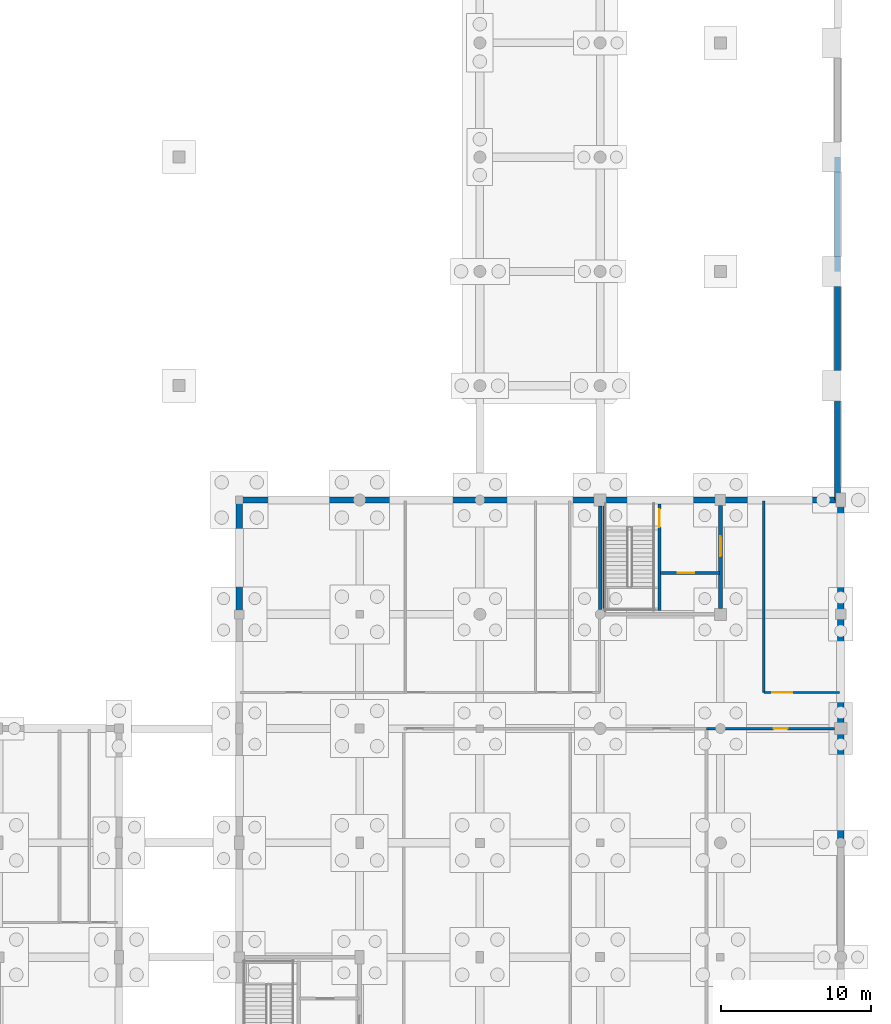
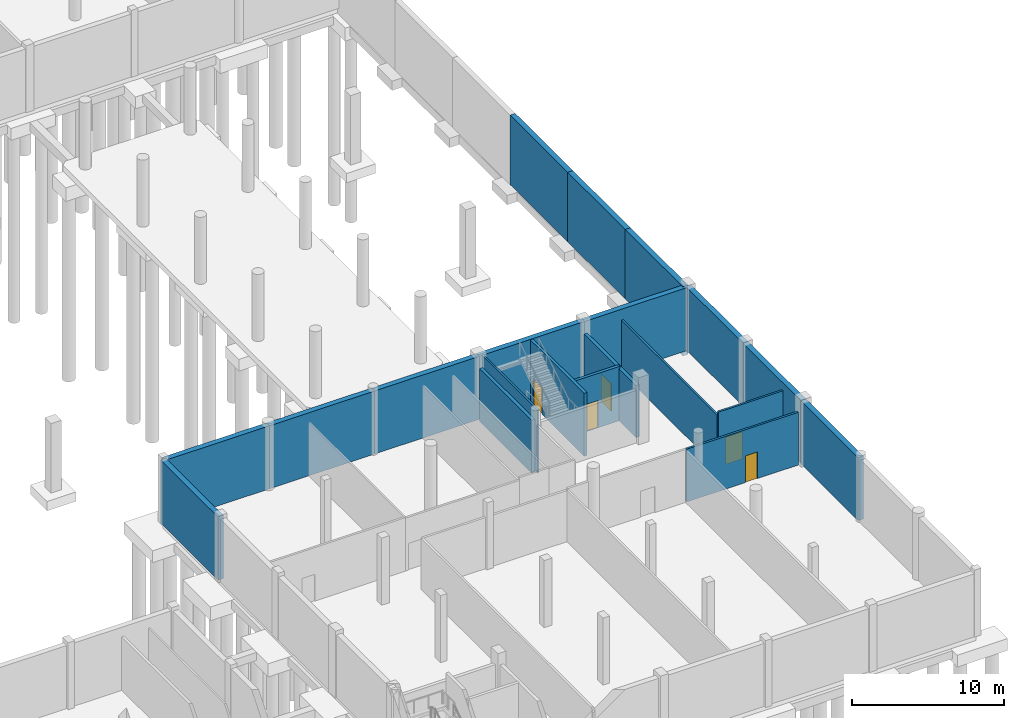
# One storey, part 30 of 44: 20 walls, 5 doors, 5 openings.
"""IFC4 building model written with IfcOpenShell, lengths in metres."""

from ifc_helpers import new_model, si_unit, direction, frame, frame_2d, origin, place, context, subcontext, project, spatial, rectangle, extrude, material, layer, layer_set, type_object, element, fill, save


model = new_model("IFC4")

# Units and contexts
model_context = context("Model", 3, precision=1e-05, world=origin(), true_north=direction((0.0, 1.0)))
body_context = subcontext(model_context, "Body", "Model", "MODEL_VIEW")
ifc_project = project(units=[si_unit("LENGTHUNIT", "METRE"), si_unit("AREAUNIT", "SQUARE_METRE"), si_unit("VOLUMEUNIT", "CUBIC_METRE"), si_unit("PLANEANGLEUNIT", "RADIAN"), si_unit("MASSUNIT", "GRAM", prefix="KILO")], contexts=[model_context])

# Site, building, storey
site_placement = place(None, origin())
site = spatial("IfcSite", under=ifc_project, at=site_placement, CompositionType="ELEMENT")
building_placement = place(site_placement, origin())
building = spatial("IfcBuilding", under=site, at=building_placement, Name="Khelvaren Railside Concert Hall", CompositionType="ELEMENT")
storey_placement = place(building_placement, frame((0.0, 0.0, -5.39990234375)))
storey = spatial("IfcBuildingStorey", under=building, at=storey_placement, Name="B1", CompositionType="ELEMENT", Elevation=-5.39990234375)

# Walls
ifc_material_1 = material(Name="Concrete C40/50", Category="concrete")
ifc_layer_1 = layer(ifc_material_1, 0.139892578125)
ifc_layer_set_1 = layer_set([ifc_layer_1], Name="Concrete C40/50")
wall_type_1 = type_object("IfcWallType", Name="CW17", PredefinedType="SOLIDWALL", material=ifc_layer_set_1)
wall_1_placement = place(storey_placement, frame((168.27490234375, 30.550048828125, 0.0), z_axis=(0.0, 0.0, 1.0), x_axis=(0.0, 1.0, 0.0)))
element("IfcWall", 1, at=wall_1_placement, inside=storey, type_object=wall_type_1, Name="Core Shaft Structural Liner Wall ST-04-B1", PredefinedType="SOLIDWALL", context=body_context, shape_type="SweptSolid", body=[
    extrude(rectangle(XDim=7.300048828125, YDim=0.139892578125, at=frame_2d((3.64990234375, 0.0))), origin(), (0.0, 0.0, 1.0), 5.079833984375),
])
ifc_layer_2 = layer(ifc_material_1, 0.25)
ifc_layer_set_2 = layer_set([ifc_layer_2], Name="Concrete C40/50")
wall_type_2 = type_object("IfcWallType", Name="CW82", PredefinedType="SOLIDWALL", material=ifc_layer_set_2)
wall_2_placement = place(storey_placement, frame((168.0, 30.72509765625, 0.0), z_axis=(0.0, 0.0, 1.0), x_axis=(0.0, 1.0, 0.0)))
element("IfcWall", 2, at=wall_2_placement, inside=storey, type_object=wall_type_2, Name="Core Enclosure Wall CWALL-ST-04-B1-W", PredefinedType="SOLIDWALL", context=body_context, shape_type="SweptSolid", body=[
    extrude(rectangle(XDim=6.875, YDim=0.25, at=frame_2d((3.4375, 0.0))), origin(), (0.0, 0.0, 1.0), 4.2548828125),
])

# Wall, opening, door
wall_3_placement = place(storey_placement, frame((176.0, 30.800048828125, 0.0), z_axis=(0.0, 0.0, 1.0), x_axis=(0.0, 1.0, 0.0)))
wall_3 = element("IfcWall", 3, at=wall_3_placement, inside=storey, type_object=wall_type_2, Name="Core Enclosure Wall CWALL-ST-04-B1-E", PredefinedType="SOLIDWALL", context=body_context, shape_type="SweptSolid", body=[
    extrude(rectangle(XDim=6.849853515625, YDim=0.25, at=frame_2d((3.4248046875, 0.0))), origin(), (0.0, 0.0, 1.0), 4.204833984375),
])
opening_1_placement = place(wall_3_placement, frame((3.449951171875, 0.0, 0.0)))
opening_1 = element("IfcOpeningElement", 4, at=opening_1_placement, cuts=wall_3, Name="Opening FDR34", PredefinedType="OPENING", context=body_context, shape_type="SweptSolid", body=[
    extrude(rectangle(XDim=1.35009765625, YDim=2.199951171875, at=frame_2d((0.675048828125, 1.10009765625))), frame((0.0, 0.135009765625, 0.0), z_axis=(0.0, -1.0, 0.0), x_axis=(1.0, 0.0, 0.0)), (0.0, 0.0, 1.0), 0.27001953125),
])
ifc_material_2 = material(Name="Acoustic fire-rated timber-core steel frame door", Category="steel")
door_type_1 = type_object("IfcDoorType", Name="FDR34", OperationType="NOTDEFINED", PredefinedType="DOOR", material=ifc_material_2)
door_1_placement = place(opening_1_placement, origin())
door_1 = element("IfcDoor", 5, at=door_1_placement, inside=storey, type_object=door_type_1, Name="Interior Door DR-ST-04-B1-LOB", OperationType="SINGLE_SWING_LEFT", OverallHeight=2.199951171875, OverallWidth=1.35009765625, PredefinedType="DOOR", context=body_context, shape_type="SweptSolid", body=[
    extrude(rectangle(XDim=1.35009765625, YDim=2.199951171875, at=frame_2d((0.675048828125, 1.10009765625))), frame((0.0, 0.02490234375, 0.0), z_axis=(0.0, -1.0, 0.0), x_axis=(1.0, 0.0, 0.0)), (0.0, 0.0, 1.0), 0.050048828125),
])
fill(opening_1, door_1)

ifc_layer_3 = layer(ifc_material_1, 0.219970703125)
ifc_layer_set_3 = layer_set([ifc_layer_3], Name="Concrete C40/50")
wall_type_3 = type_object("IfcWallType", Name="CW97", PredefinedType="SOLIDWALL", material=ifc_layer_set_3)
wall_4_placement = place(storey_placement, frame((171.949951171875, 30.64990234375, 0.0), z_axis=(0.0, 0.0, 1.0), x_axis=(0.0, 1.0, 0.0)))
wall_4 = element("IfcWall", 6, at=wall_4_placement, inside=storey, type_object=wall_type_3, Name="Core Enclosure Wall CWALL-ST-04-B1-MID", PredefinedType="SOLIDWALL", context=body_context, shape_type="SweptSolid", body=[
    extrude(rectangle(XDim=7.10009765625, YDim=0.219970703125, at=frame_2d((3.550048828125, 0.0))), origin(), (0.0, 0.0, 1.0), 5.079833984375),
])
opening_2_placement = place(wall_4_placement, frame((5.550048828125, 0.0, 0.0)))
opening_2 = element("IfcOpeningElement", 7, at=opening_2_placement, cuts=wall_4, Name="Opening FDR17", PredefinedType="OPENING", context=body_context, shape_type="SweptSolid", body=[
    extrude(rectangle(XDim=1.199951171875, YDim=2.14990234375, at=frame_2d((0.60009765625, 1.074951171875))), frame((0.0, 0.119873046875, 0.0), z_axis=(0.0, -1.0, 0.0), x_axis=(1.0, 0.0, 0.0)), (0.0, 0.0, 1.0), 0.239990234375),
])
door_type_2 = type_object("IfcDoorType", Name="FDR17", OperationType="NOTDEFINED", PredefinedType="DOOR", material=ifc_material_2)
door_2_placement = place(opening_2_placement, origin())
door_2 = element("IfcDoor", 8, at=door_2_placement, inside=storey, type_object=door_type_2, Name="Interior Door DR-ST-04-B1-ST", OperationType="SINGLE_SWING_RIGHT", OverallHeight=2.14990234375, OverallWidth=1.199951171875, PredefinedType="DOOR", context=body_context, shape_type="SweptSolid", body=[
    extrude(rectangle(XDim=1.199951171875, YDim=2.14990234375, at=frame_2d((0.60009765625, 1.074951171875))), frame((0.0, 0.02490234375, 0.0), z_axis=(0.0, -1.0, 0.0), x_axis=(1.0, 0.0, 0.0)), (0.0, 0.0, 1.0), 0.050048828125),
])
fill(opening_2, door_2)

wall_5_placement = place(storey_placement, frame((172.02001953125, 33.14990234375, 0.0), z_axis=(0.0, 0.0, 1.0), x_axis=(1.0, 0.0, 0.0)))
wall_5 = element("IfcWall", 9, at=wall_5_placement, inside=storey, type_object=wall_type_3, Name="Core Enclosure Wall CWALL-ST-04-B1-SHF", PredefinedType="SOLIDWALL", context=body_context, shape_type="SweptSolid", body=[
    extrude(rectangle(XDim=3.929931640625, YDim=0.219970703125, at=frame_2d((1.96484375, 0.0))), origin(), (0.0, 0.0, 1.0), 4.3798828125),
])
opening_3_placement = place(wall_5_placement, frame((1.14990234375, 0.0, 0.0)))
opening_3 = element("IfcOpeningElement", 10, at=opening_3_placement, cuts=wall_5, Name="Opening LD-PL-03", PredefinedType="OPENING", context=body_context, shape_type="SweptSolid", body=[
    extrude(rectangle(XDim=1.10009765625, YDim=2.199951171875, at=frame_2d((0.550048828125, 1.10009765625))), frame((0.0, 0.119873046875, 0.0), z_axis=(0.0, -1.0, 0.0), x_axis=(1.0, 0.0, 0.0)), (0.0, 0.0, 1.0), 0.239990234375),
])
ifc_material_3 = material(Name="Fire-rated brushed stainless steel landing door", Category="steel")
door_type_3 = type_object("IfcDoorType", Name="LD96", OperationType="DOUBLE_DOOR_SLIDING", PredefinedType="DOOR", material=ifc_material_3)
door_3_placement = place(opening_3_placement, origin())
door_3 = element("IfcDoor", 11, at=door_3_placement, inside=storey, type_object=door_type_3, Name="Lift Landing Door LD-PL-03-B1", OperationType="DOUBLE_DOOR_SLIDING", OverallHeight=2.199951171875, OverallWidth=1.10009765625, PredefinedType="DOOR", context=body_context, shape_type="SweptSolid", body=[
    extrude(rectangle(XDim=1.10009765625, YDim=2.199951171875, at=frame_2d((0.550048828125, 1.10009765625))), frame((0.0, 0.02490234375, 0.0), z_axis=(0.0, -1.0, 0.0), x_axis=(1.0, 0.0, 0.0)), (0.0, 0.0, 1.0), 0.050048828125),
])
fill(opening_3, door_3)

ifc_material_4 = material(Name="Acoustic double-stud gypsum partition", Category="gypsum")
ifc_layer_4 = layer(ifc_material_4, 0.159912109375)
ifc_layer_set_4 = layer_set([ifc_layer_4], Name="Acoustic double-stud gypsum partition")
wall_type_4 = type_object("IfcWallType", Name="PT19", PredefinedType="PARTITIONING", material=ifc_layer_set_4)
wall_6_placement = place(storey_placement, frame((175.068115234375, 22.800048828125, 0.0), z_axis=(0.0, 0.0, 1.0), x_axis=(1.0, 0.0, 0.0)))
wall_6 = element("IfcWall", 12, at=wall_6_placement, inside=storey, type_object=wall_type_4, Name="Acoustic Partition Wall PW-V2-B1-S-C03", PredefinedType="PARTITIONING", context=body_context, shape_type="SweptSolid", body=[
    extrude(rectangle(XDim=8.531982421875, YDim=0.159912109375, at=frame_2d((4.26611328125, 0.0))), origin(), (0.0, 0.0, 1.0), 4.2548828125),
])
opening_4_placement = place(wall_6_placement, frame((4.47509765625, 0.0, 0.0)))
opening_4 = element("IfcOpeningElement", 13, at=opening_4_placement, cuts=wall_6, Name="Opening IDR15", PredefinedType="OPENING", context=body_context, shape_type="SweptSolid", body=[
    extrude(rectangle(XDim=0.919921875, YDim=2.14990234375, at=frame_2d((0.4599609375, 1.074951171875))), frame((0.0, 0.08984375, 0.0), z_axis=(0.0, -1.0, 0.0), x_axis=(1.0, 0.0, 0.0)), (0.0, 0.0, 1.0), 0.179931640625),
])
ifc_material_5 = material(Name="Solid oak acoustic studio door", Category="wood")
door_type_4 = type_object("IfcDoorType", Name="IDR15", OperationType="NOTDEFINED", PredefinedType="DOOR", material=ifc_material_5)
door_4_placement = place(opening_4_placement, origin())
door_4 = element("IfcDoor", 14, at=door_4_placement, inside=storey, type_object=door_type_4, Name="Interior Door DR-V2-B1-S-03", OperationType="SINGLE_SWING_LEFT", OverallHeight=2.14990234375, OverallWidth=0.919921875, PredefinedType="DOOR", context=body_context, shape_type="SweptSolid", body=[
    extrude(rectangle(XDim=0.919921875, YDim=2.14990234375, at=frame_2d((0.4599609375, 1.074951171875))), frame((0.0, 0.02490234375, 0.0), z_axis=(0.0, -1.0, 0.0), x_axis=(1.0, 0.0, 0.0)), (0.0, 0.0, 1.0), 0.050048828125),
])
fill(opening_4, door_4)

ifc_layer_5 = layer(ifc_material_4, 0.14990234375)
ifc_layer_set_5 = layer_set([ifc_layer_5], Name="Acoustic double-stud gypsum partition")
wall_type_5 = type_object("IfcWallType", Name="PT72", PredefinedType="PARTITIONING", material=ifc_layer_set_5)
wall_7_placement = place(storey_placement, frame((178.8798828125, 25.199951171875, 0.0), z_axis=(0.0, 0.0, 1.0), x_axis=(1.0, 0.0, 0.0)))
wall_7 = element("IfcWall", 15, at=wall_7_placement, inside=storey, type_object=wall_type_5, Name="Acoustic Partition Wall PW-V2-B1-NE-C01", PredefinedType="PARTITIONING", context=body_context, shape_type="SweptSolid", body=[
    extrude(rectangle(XDim=5.0400390625, YDim=0.14990234375, at=frame_2d((2.52001953125, 0.0))), origin(), (0.0, 0.0, 1.0), 4.449951171875),
])
opening_5_placement = place(wall_7_placement, frame((0.580078125, 0.0, 0.0)))
opening_5 = element("IfcOpeningElement", 16, at=opening_5_placement, cuts=wall_7, Name="Opening IDR18", PredefinedType="OPENING", context=body_context, shape_type="SweptSolid", body=[
    extrude(rectangle(XDim=1.300048828125, YDim=2.199951171875, at=frame_2d((0.64990234375, 1.10009765625))), frame((0.0, 0.0849609375, 0.0), z_axis=(0.0, -1.0, 0.0), x_axis=(1.0, 0.0, 0.0)), (0.0, 0.0, 1.0), 0.169921875),
])
door_type_5 = type_object("IfcDoorType", Name="IDR18", OperationType="NOTDEFINED", PredefinedType="DOOR", material=ifc_material_5)
door_5_placement = place(opening_5_placement, origin())
door_5 = element("IfcDoor", 17, at=door_5_placement, inside=storey, type_object=door_type_5, Name="Interior Door DR-V2-B1-NE-01", OperationType="SINGLE_SWING_RIGHT", OverallHeight=2.199951171875, OverallWidth=1.300048828125, PredefinedType="DOOR", context=body_context, shape_type="SweptSolid", body=[
    extrude(rectangle(XDim=1.300048828125, YDim=2.199951171875, at=frame_2d((0.64990234375, 1.10009765625))), frame((0.0, 0.02490234375, 0.0), z_axis=(0.0, -1.0, 0.0), x_axis=(1.0, 0.0, 0.0)), (0.0, 0.0, 1.0), 0.050048828125),
])
fill(opening_5, door_5)

# Walls
wall_8_placement = place(storey_placement, frame((178.8798828125, 25.199951171875, 0.0), z_axis=(0.0, 0.0, 1.0), x_axis=(0.0, 1.0, 0.0)))
element("IfcWall", 18, at=wall_8_placement, inside=storey, type_object=wall_type_5, Name="Acoustic Partition Wall PW-V2-B1-NE-W0", PredefinedType="PARTITIONING", context=body_context, shape_type="SweptSolid", body=[
    extrude(rectangle(XDim=12.719970703125, YDim=0.14990234375, at=frame_2d((6.35986328125, 0.0))), origin(), (0.0, 0.0, 1.0), 4.204833984375),
])
ifc_layer_6 = layer(ifc_material_1, 0.39990234375)
ifc_layer_set_6 = layer_set([ifc_layer_6], Name="Concrete C40/50")
wall_type_6 = type_object("IfcWallType", Name="RW96", PredefinedType="USERDEFINED", material=ifc_layer_set_6)
for number, where, z_axis, x_axis, name in (
    (19, (152.0, 38.0, 0.0), (0.0, 0.0, 1.0), (-1.0, 0.0, 0.0), "V2 Basement Retaining Wall N01"),
    (20, (160.0, 38.0, 0.0), (0.0, 0.0, 1.0), (-1.0, 0.0, 0.0), "V2 Basement Retaining Wall N02"),
    (21, (168.0, 38.0, 0.0), (0.0, 0.0, 1.0), (-1.0, 0.0, 0.0), "V2 Basement Retaining Wall N03"),
    (22, (176.0, 38.0, 0.0), (0.0, 0.0, 1.0), (-1.0, 0.0, 0.0), "V2 Basement Retaining Wall N04"),
    (23, (184.0, 38.0, 0.0), (0.0, 0.0, 1.0), (-1.0, 0.0, 0.0), "V2 Basement Retaining Wall N05"),
):
    element("IfcWall", number, at=place(storey_placement, frame(where, z_axis=z_axis, x_axis=x_axis)), inside=storey, type_object=wall_type_6, Name=name, ObjectType="RETAINING WALL", PredefinedType="USERDEFINED", context=body_context, shape_type="SweptSolid", body=[
        extrude(rectangle(XDim=8.0, YDim=0.39990234375, at=frame_2d((4.0, 0.0))), origin(), (0.0, 0.0, 1.0), 5.079833984375),
    ])
for number, where, z_axis, x_axis, name in (
    (24, (144.0, 38.0, 0.0), (0.0, 0.0, 1.0), (0.0, -1.0, 0.0), "V2 Basement Retaining Wall W05"),
    (25, (184.0, 15.199951171875, 0.0), (0.0, 0.0, 1.0), (0.0, 1.0, 0.0), "V2 Basement Retaining Wall E03"),
):
    element("IfcWall", number, at=place(storey_placement, frame(where, z_axis=z_axis, x_axis=x_axis)), inside=storey, type_object=wall_type_6, Name=name, ObjectType="RETAINING WALL", PredefinedType="USERDEFINED", context=body_context, shape_type="SweptSolid", body=[
        extrude(rectangle(XDim=7.60009765625, YDim=0.39990234375, at=frame_2d((3.800048828125, 0.0))), origin(), (0.0, 0.0, 1.0), 5.079833984375),
    ])
wall_9_placement = place(storey_placement, frame((184.0, 22.800048828125, 0.0), z_axis=(0.0, 0.0, 1.0), x_axis=(0.0, 1.0, 0.0)))
element("IfcWall", 26, at=wall_9_placement, inside=storey, type_object=wall_type_6, Name="V2 Basement Retaining Wall E04", ObjectType="RETAINING WALL", PredefinedType="USERDEFINED", context=body_context, shape_type="SweptSolid", body=[
    extrude(rectangle(XDim=7.599853515625, YDim=0.39990234375, at=frame_2d((3.7998046875, 0.0))), origin(), (0.0, 0.0, 1.0), 5.079833984375),
])
wall_10_placement = place(storey_placement, frame((184.0, 30.39990234375, 0.0), z_axis=(0.0, 0.0, 1.0), x_axis=(0.0, 1.0, 0.0)))
element("IfcWall", 27, at=wall_10_placement, inside=storey, type_object=wall_type_6, Name="V2 Basement Retaining Wall E05", ObjectType="RETAINING WALL", PredefinedType="USERDEFINED", context=body_context, shape_type="SweptSolid", body=[
    extrude(rectangle(XDim=7.60009765625, YDim=0.39990234375, at=frame_2d((3.800048828125, 0.0))), origin(), (0.0, 0.0, 1.0), 5.079833984375),
])
wall_11_placement = place(storey_placement, frame((183.800048828125, 60.800048828125, -0.5), z_axis=(0.0, 0.0, 1.0), x_axis=(0.0, -1.0, 0.0)))
element("IfcWall", 28, at=wall_11_placement, inside=storey, type_object=wall_type_6, Name="Courtyard Perimeter Retaining Wall APRON-E04", ObjectType="RETAINING WALL", PredefinedType="USERDEFINED", context=body_context, shape_type="SweptSolid", body=[
    extrude(rectangle(XDim=7.60009765625, YDim=0.39990234375, at=frame_2d((3.800048828125, 0.0))), origin(), (0.0, 0.0, 1.0), 5.599853515625),
])
wall_12_placement = place(storey_placement, frame((183.800048828125, 53.199951171875, -0.5), z_axis=(0.0, 0.0, 1.0), x_axis=(0.0, -1.0, 0.0)))
element("IfcWall", 29, at=wall_12_placement, inside=storey, type_object=wall_type_6, Name="Courtyard Perimeter Retaining Wall APRON-E05", ObjectType="RETAINING WALL", PredefinedType="USERDEFINED", context=body_context, shape_type="SweptSolid", body=[
    extrude(rectangle(XDim=7.599853515625, YDim=0.39990234375, at=frame_2d((3.7998046875, 0.0))), origin(), (0.0, 0.0, 1.0), 5.599853515625),
])
wall_13_placement = place(storey_placement, frame((183.800048828125, 45.60009765625, -0.5), z_axis=(0.0, 0.0, 1.0), x_axis=(0.0, -1.0, 0.0)))
element("IfcWall", 30, at=wall_13_placement, inside=storey, type_object=wall_type_6, Name="Courtyard Perimeter Retaining Wall APRON-E06", ObjectType="RETAINING WALL", PredefinedType="USERDEFINED", context=body_context, shape_type="SweptSolid", body=[
    extrude(rectangle(XDim=7.60009765625, YDim=0.39990234375, at=frame_2d((3.800048828125, 0.0))), origin(), (0.0, 0.0, 1.0), 5.599853515625),
])

save(model, "model.ifc")
